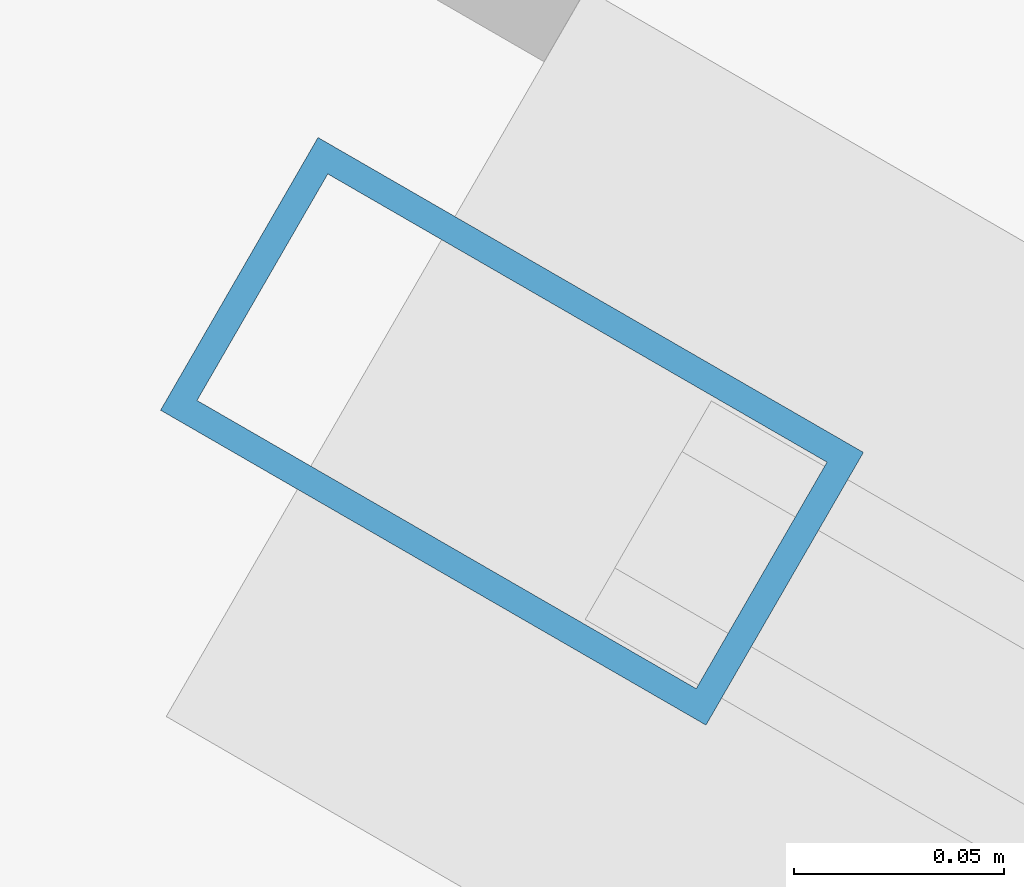
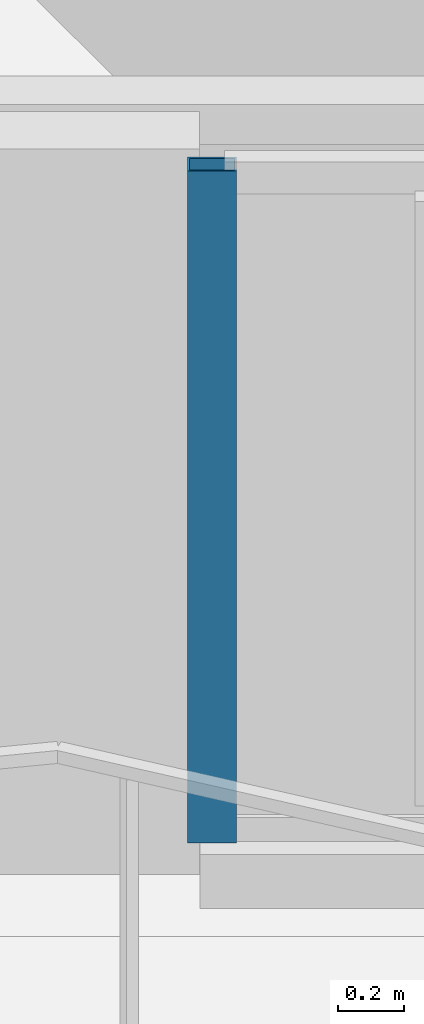
# One storey, part 4 of 18: 1 member, 1 element without a shape of its own.
"""IFC4 building model written with IfcOpenShell, lengths in metres."""

from ifc_helpers import new_model, si_unit, direction, frame, origin, origin_2d, place, context, subcontext, project, spatial, hollow_rectangle, extrude, material, layer, layer_set, material_profile, profile_set, type_object, element, aggregate, save


model = new_model("IFC4")

# Units and contexts
model_context = context("Model", 3, precision=1e-05, world=origin(), true_north=direction((0.0, 1.0)))
body_context = subcontext(model_context, "Body", "Model", "MODEL_VIEW")
ifc_project = project(units=[si_unit("LENGTHUNIT", "METRE"), si_unit("AREAUNIT", "SQUARE_METRE"), si_unit("VOLUMEUNIT", "CUBIC_METRE"), si_unit("PLANEANGLEUNIT", "RADIAN"), si_unit("MASSUNIT", "GRAM", prefix="KILO")], contexts=[model_context])

# Site, building, storey
site_placement = place(None, origin())
site = spatial("IfcSite", under=ifc_project, at=site_placement, CompositionType="ELEMENT")
building_placement = place(site_placement, origin())
building = spatial("IfcBuilding", under=site, at=building_placement, Name="Mersakhor Tower and Convention Hall", CompositionType="ELEMENT")
storey_placement = place(building_placement, frame((0.0, 0.0, 226.5)))
storey = spatial("IfcBuildingStorey", under=building, at=storey_placement, Name="L63", CompositionType="ELEMENT", Elevation=226.5)

# Curtain wall, member
ifc_material_1 = material(Name="Dark solar low-E aluminium curtain wall", Category="aluminium")
ifc_layer = layer(ifc_material_1, 0.179931640625)
ifc_layer_set = layer_set([ifc_layer], Name="Dark solar low-E aluminium curtain wall")
curtain_wall_type = type_object("IfcCurtainWallType", Name="CW-SYS-03", PredefinedType="USERDEFINED", material=ifc_layer_set)
curtain_wall_placement = place(storey_placement, origin())
curtain_wall = element("IfcCurtainWall", 1, at=curtain_wall_placement, inside=storey, type_object=curtain_wall_type, Name="L63 Dark-Glass Curtain Wall F3-B2", ObjectType="CURTAIN WALL", PredefinedType="USERDEFINED")
ifc_material_2 = material(Name="Anodised aluminium EN AW-6063 T6", Category="aluminium")
ifc_material_profile = material_profile(ifc_material_2, hollow_rectangle(XDim=0.074951171875, YDim=0.14990234375, WallThickness=0.00634765625, at=origin_2d()), Name="RHS 150x75x6.3")
ifc_profile_set = profile_set([ifc_material_profile], Name="Anodised aluminium EN AW-6063 T6")
member_type = type_object("IfcMemberType", Name="CWM-150x75", PredefinedType="MULLION", material=ifc_profile_set)
member_placement = place(storey_placement, frame((20.098388671875, 19.484619140625, 0.199951171875), z_axis=(0.0, 0.0, 1.0), x_axis=(-0.500004411169, -0.86602285698, 0.0)))
member = element("IfcMember", 2, at=member_placement, type_object=member_type, Name="CW-03 mullion 3", PredefinedType="MULLION", context=body_context, shape_type="SweptSolid", body=[
    extrude(hollow_rectangle(XDim=0.074951171875, YDim=0.14990234375, WallThickness=0.00634765625, at=origin_2d()), origin(), (0.0, 0.0, 1.0), 2.5),
])
aggregate(curtain_wall, [member])

save(model, "model.ifc")
